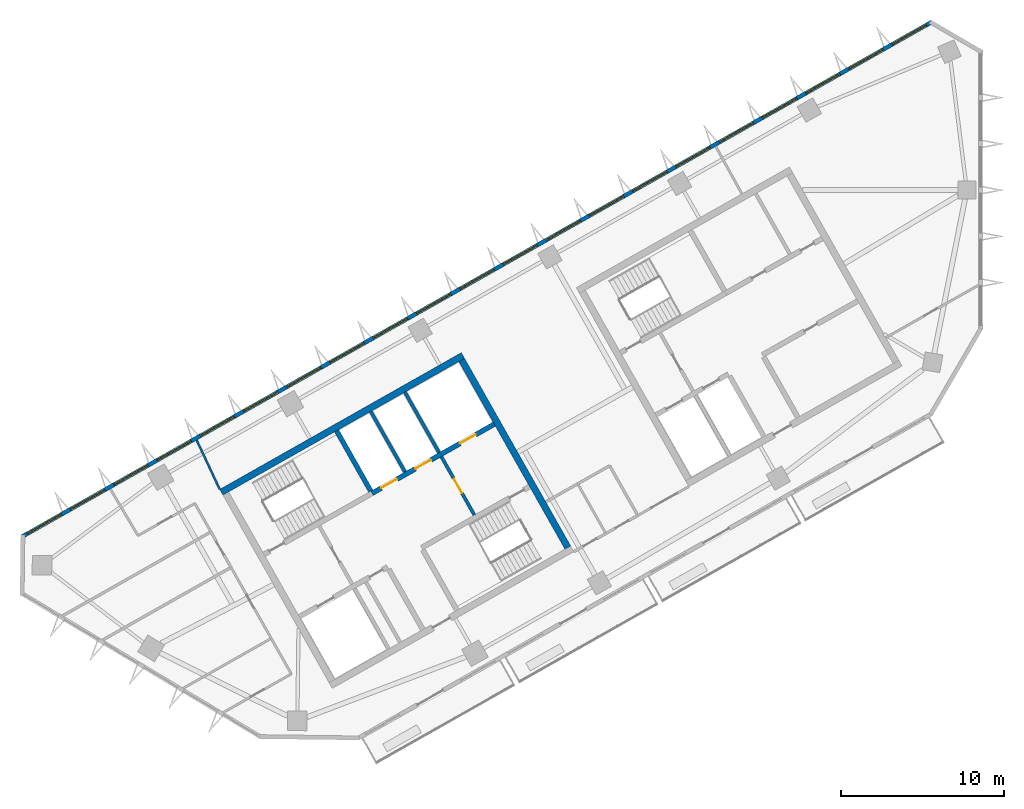
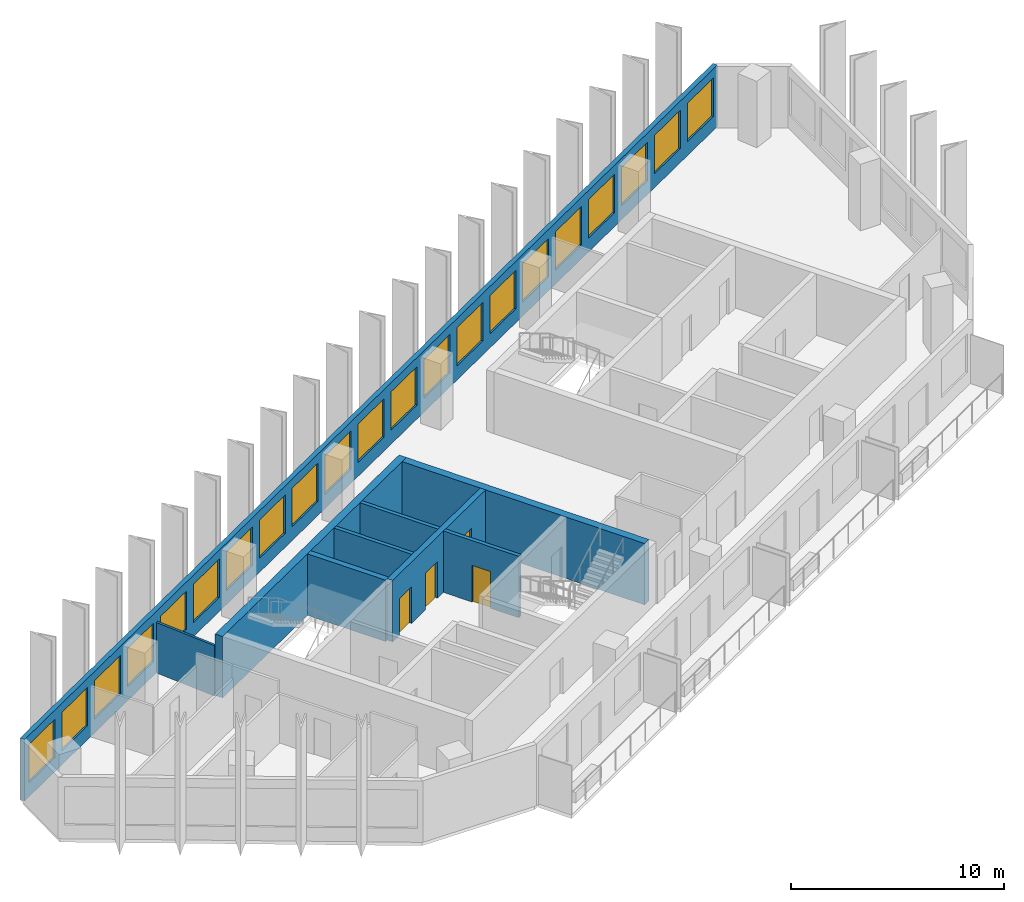
# One storey, part 3 of 8: 21 windows, 9 walls, 4 doors, 25 openings.
"""IFC4 building model written with IfcOpenShell, lengths in metres."""

from ifc_helpers import new_model, si_unit, direction, frame, frame_2d, origin, place, context, subcontext, project, spatial, rectangle, extrude, material, layer, layer_set, type_object, element, fill, save


model = new_model("IFC4")

# Units and contexts
model_context = context("Model", 3, precision=1e-05, world=origin(), true_north=direction((0.0, 1.0)))
body_context = subcontext(model_context, "Body", "Model", "MODEL_VIEW")
ifc_project = project(units=[si_unit("LENGTHUNIT", "METRE"), si_unit("AREAUNIT", "SQUARE_METRE"), si_unit("VOLUMEUNIT", "CUBIC_METRE"), si_unit("PLANEANGLEUNIT", "RADIAN"), si_unit("MASSUNIT", "GRAM", prefix="KILO")], contexts=[model_context])

# Site, building, storey
site_placement = place(None, origin())
site = spatial("IfcSite", under=ifc_project, at=site_placement, CompositionType="ELEMENT")
building_placement = place(site_placement, origin())
building = spatial("IfcBuilding", under=site, at=building_placement, Name="Binnacle Exchange Tower", CompositionType="ELEMENT")
storey_placement = place(building_placement, frame((0.0, 0.0, 300.699951171875)))
storey = spatial("IfcBuildingStorey", under=building, at=storey_placement, Name="L67", CompositionType="ELEMENT", Elevation=300.699951171875)

# Wall, openings, doors
ifc_material_1 = material(Name="Concrete C70/85", Category="concrete")
ifc_layer_1 = layer(ifc_material_1, 0.300048828125)
ifc_layer_set_1 = layer_set([ifc_layer_1], Name="Core wall - front 300")
wall_type_1 = type_object("IfcWallType", Name="Core wall - front 300", PredefinedType="SOLIDWALL", material=ifc_layer_set_1)
wall_1_placement = place(storey_placement, frame((-37.281982421875, 41.4345703125, 0.0), z_axis=(0.0, 0.0, 1.0), x_axis=(0.870361315115, 0.492413628113, 0.0)))
wall_1 = element("IfcWall", 1, at=wall_1_placement, inside=storey, type_object=wall_type_1, Name="Core wall CRWA5", PredefinedType="SOLIDWALL", context=body_context, shape_type="SweptSolid", body=[
    extrude(rectangle(XDim=8.599609375, YDim=0.300048828125, at=frame_2d((4.2998046875, 0.0))), origin(), (0.0, 0.0, 1.0), 3.52001953125),
])
opening_1_placement = place(wall_1_placement, frame((0.650146484375, 0.0, 0.0)))
opening_1 = element("IfcOpeningElement", 2, at=opening_1_placement, cuts=wall_1, Name="Opening LD9", PredefinedType="OPENING", context=body_context, shape_type="SweptSolid", body=[
    extrude(rectangle(XDim=1.10009765625, YDim=2.10009765625, at=frame_2d((0.550048828125, 1.050048828125))), frame((0.0, 0.159912109375, 0.0), z_axis=(0.0, -1.0, 0.0), x_axis=(1.0, 0.0, 0.0)), (0.0, 0.0, 1.0), 0.320068359375),
])
opening_2_placement = place(wall_1_placement, frame((3.050048828125, 0.0, 0.0)))
opening_2 = element("IfcOpeningElement", 3, at=opening_2_placement, cuts=wall_1, Name="Opening LD10", PredefinedType="OPENING", context=body_context, shape_type="SweptSolid", body=[
    extrude(rectangle(XDim=1.10009765625, YDim=2.10009765625, at=frame_2d((0.550048828125, 1.050048828125))), frame((0.0, 0.159912109375, 0.0), z_axis=(0.0, -1.0, 0.0), x_axis=(1.0, 0.0, 0.0)), (0.0, 0.0, 1.0), 0.320068359375),
])
opening_3_placement = place(wall_1_placement, frame((6.199951171875, 0.0, 0.0)))
opening_3 = element("IfcOpeningElement", 4, at=opening_3_placement, cuts=wall_1, Name="Opening LD13", PredefinedType="OPENING", context=body_context, shape_type="SweptSolid", body=[
    extrude(rectangle(XDim=1.10009765625, YDim=2.10009765625, at=frame_2d((0.550048828125, 1.050048828125))), frame((0.0, 0.159912109375, 0.0), z_axis=(0.0, -1.0, 0.0), x_axis=(1.0, 0.0, 0.0)), (0.0, 0.0, 1.0), 0.320068359375),
])
ifc_material_2 = material(Name="Steel door leaf", Category="steel")
door_type_1 = type_object("IfcDoorType", Name="Fire door - lift landing 1100", OperationType="NOTDEFINED", PredefinedType="DOOR", material=ifc_material_2)
door_1_placement = place(opening_1_placement, origin())
door_1 = element("IfcDoor", 5, at=door_1_placement, inside=storey, type_object=door_type_1, Name="Landing door LD9 L67", OperationType="DOUBLE_DOOR_SLIDING", OverallHeight=2.10009765625, OverallWidth=1.10009765625, PredefinedType="DOOR", context=body_context, shape_type="SweptSolid", body=[
    extrude(rectangle(XDim=1.10009765625, YDim=2.10009765625, at=frame_2d((0.550048828125, 1.050048828125))), frame((0.0, 0.02490234375, 0.0), z_axis=(0.0, -1.0, 0.0), x_axis=(1.0, 0.0, 0.0)), (0.0, 0.0, 1.0), 0.050048828125),
])
fill(opening_1, door_1)
door_2_placement = place(opening_2_placement, origin())
door_2 = element("IfcDoor", 6, at=door_2_placement, inside=storey, type_object=door_type_1, Name="Landing door LD10 L67", OperationType="DOUBLE_DOOR_SLIDING", OverallHeight=2.10009765625, OverallWidth=1.10009765625, PredefinedType="DOOR", context=body_context, shape_type="SweptSolid", body=[
    extrude(rectangle(XDim=1.10009765625, YDim=2.10009765625, at=frame_2d((0.550048828125, 1.050048828125))), frame((0.0, 0.02490234375, 0.0), z_axis=(0.0, -1.0, 0.0), x_axis=(1.0, 0.0, 0.0)), (0.0, 0.0, 1.0), 0.050048828125),
])
fill(opening_2, door_2)
door_3_placement = place(opening_3_placement, origin())
door_3 = element("IfcDoor", 7, at=door_3_placement, inside=storey, type_object=door_type_1, Name="Landing door LD13 L67", OperationType="DOUBLE_DOOR_SLIDING", OverallHeight=2.10009765625, OverallWidth=1.10009765625, PredefinedType="DOOR", context=body_context, shape_type="SweptSolid", body=[
    extrude(rectangle(XDim=1.10009765625, YDim=2.10009765625, at=frame_2d((0.550048828125, 1.050048828125))), frame((0.0, 0.02490234375, 0.0), z_axis=(0.0, -1.0, 0.0), x_axis=(1.0, 0.0, 0.0)), (0.0, 0.0, 1.0), 0.050048828125),
])
fill(opening_3, door_3)

# Walls
ifc_layer_2 = layer(ifc_material_1, 0.39990234375)
ifc_layer_set_2 = layer_set([ifc_layer_2], Name="Core wall - outer 400")
wall_type_2 = type_object("IfcWallType", Name="Core wall - outer 400", PredefinedType="SOLIDWALL", material=ifc_layer_set_2)
wall_2_placement = place(storey_placement, frame((-46.510009765625, 41.498779296875, 0.0), z_axis=(0.0, 0.0, 1.0), x_axis=(0.870356271124, 0.492422543467, 0.0)))
element("IfcWall", 8, at=wall_2_placement, inside=storey, type_object=wall_type_2, Name="Core wall CRWA6", PredefinedType="SOLIDWALL", context=body_context, shape_type="SweptSolid", body=[
    extrude(rectangle(XDim=16.999755859375, YDim=0.39990234375, at=frame_2d((8.5, 0.0))), origin(), (0.0, 0.0, 1.0), 3.52001953125),
])
wall_3_placement = place(storey_placement, frame((-31.78955078125, 49.597412109375, 0.0), z_axis=(0.0, 0.0, 1.0), x_axis=(0.492421663121, -0.870356769198, 0.0)))
element("IfcWall", 9, at=wall_3_placement, inside=storey, type_object=wall_type_2, Name="Core wall CRWA22", PredefinedType="SOLIDWALL", context=body_context, shape_type="SweptSolid", body=[
    extrude(rectangle(XDim=13.199951171875, YDim=0.39990234375, at=frame_2d((6.60009765625, 0.0))), origin(), (0.0, 0.0, 1.0), 3.52001953125),
])
ifc_layer_3 = layer(ifc_material_1, 0.300048828125)
ifc_layer_set_3 = layer_set([ifc_layer_3], Name="Core wall - stair 300")
wall_type_3 = type_object("IfcWallType", Name="Core wall - stair 300", PredefinedType="SOLIDWALL", material=ifc_layer_set_3)
wall_4_placement = place(storey_placement, frame((-39.44873046875, 45.263916015625, 0.0), z_axis=(0.0, 0.0, 1.0), x_axis=(0.492422543467, -0.870356271124, 0.0)))
element("IfcWall", 10, at=wall_4_placement, inside=storey, type_object=wall_type_3, Name="Core wall CRWA14", PredefinedType="SOLIDWALL", context=body_context, shape_type="SweptSolid", body=[
    extrude(rectangle(XDim=4.25, YDim=0.300048828125, at=frame_2d((2.125, 0.0))), origin(), (0.0, 0.0, 1.0), 3.52001953125),
])

# Wall, openings, windows
ifc_material_3 = material(Name="Bronze aluminium cladding", Category="aluminium")
ifc_layer_4 = layer(ifc_material_3, 0.25)
ifc_layer_set_4 = layer_set([ifc_layer_4], Name="External wall - window wall 250")
wall_type_4 = type_object("IfcWallType", Name="External wall - window wall 250", PredefinedType="STANDARD", material=ifc_layer_set_4)
wall_5_placement = place(storey_placement, frame((-58.732177734375, 38.770751953125, 0.0), z_axis=(0.0, 0.0, 1.0), x_axis=(0.870355615581, 0.492423702137, 0.0)))
wall_5 = element("IfcWall", 11, at=wall_5_placement, inside=storey, type_object=wall_type_4, Name="External wall EW-H03 L67", PredefinedType="STANDARD", context=body_context, shape_type="SweptSolid", body=[
    extrude(rectangle(XDim=64.052490234375, YDim=0.25, at=frame_2d((32.0263671875, 0.0))), origin(), (0.0, 0.0, 1.0), 3.52001953125),
])
opening_4_placement = place(wall_5_placement, frame((61.25927734375, 0.0, 0.800048828125)))
opening_4 = element("IfcOpeningElement", 12, at=opening_4_placement, cuts=wall_5, Name="Opening WR2", PredefinedType="OPENING", context=body_context, shape_type="SweptSolid", body=[
    extrude(rectangle(XDim=2.39990234375, YDim=2.199951171875, at=frame_2d((1.199951171875, 1.10009765625))), frame((0.0, 0.135009765625, 0.0), z_axis=(0.0, -1.0, 0.0), x_axis=(1.0, 0.0, 0.0)), (0.0, 0.0, 1.0), 0.27001953125),
])
opening_5_placement = place(wall_5_placement, frame((58.2158203125, 0.0, 0.800048828125)))
opening_5 = element("IfcOpeningElement", 13, at=opening_5_placement, cuts=wall_5, Name="Opening WR2", PredefinedType="OPENING", context=body_context, shape_type="SweptSolid", body=[
    extrude(rectangle(XDim=2.39990234375, YDim=2.199951171875, at=frame_2d((1.199951171875, 1.10009765625))), frame((0.0, 0.135009765625, 0.0), z_axis=(0.0, -1.0, 0.0), x_axis=(1.0, 0.0, 0.0)), (0.0, 0.0, 1.0), 0.27001953125),
])
opening_6_placement = place(wall_5_placement, frame((55.172607421875, 0.0, 0.800048828125)))
opening_6 = element("IfcOpeningElement", 14, at=opening_6_placement, cuts=wall_5, Name="Opening WR2", PredefinedType="OPENING", context=body_context, shape_type="SweptSolid", body=[
    extrude(rectangle(XDim=2.39990234375, YDim=2.199951171875, at=frame_2d((1.199951171875, 1.10009765625))), frame((0.0, 0.135009765625, 0.0), z_axis=(0.0, -1.0, 0.0), x_axis=(1.0, 0.0, 0.0)), (0.0, 0.0, 1.0), 0.27001953125),
])
opening_7_placement = place(wall_5_placement, frame((52.12939453125, 0.0, 0.800048828125)))
opening_7 = element("IfcOpeningElement", 15, at=opening_7_placement, cuts=wall_5, Name="Opening WR2", PredefinedType="OPENING", context=body_context, shape_type="SweptSolid", body=[
    extrude(rectangle(XDim=2.39990234375, YDim=2.199951171875, at=frame_2d((1.199951171875, 1.10009765625))), frame((0.0, 0.135009765625, 0.0), z_axis=(0.0, -1.0, 0.0), x_axis=(1.0, 0.0, 0.0)), (0.0, 0.0, 1.0), 0.27001953125),
])
opening_8_placement = place(wall_5_placement, frame((49.0859375, 0.0, 0.800048828125)))
opening_8 = element("IfcOpeningElement", 16, at=opening_8_placement, cuts=wall_5, Name="Opening WR2", PredefinedType="OPENING", context=body_context, shape_type="SweptSolid", body=[
    extrude(rectangle(XDim=2.39990234375, YDim=2.199951171875, at=frame_2d((1.199951171875, 1.10009765625))), frame((0.0, 0.135009765625, 0.0), z_axis=(0.0, -1.0, 0.0), x_axis=(1.0, 0.0, 0.0)), (0.0, 0.0, 1.0), 0.27001953125),
])
opening_9_placement = place(wall_5_placement, frame((46.042724609375, 0.0, 0.800048828125)))
opening_9 = element("IfcOpeningElement", 17, at=opening_9_placement, cuts=wall_5, Name="Opening WR2", PredefinedType="OPENING", context=body_context, shape_type="SweptSolid", body=[
    extrude(rectangle(XDim=2.39990234375, YDim=2.199951171875, at=frame_2d((1.199951171875, 1.10009765625))), frame((0.0, 0.135009765625, 0.0), z_axis=(0.0, -1.0, 0.0), x_axis=(1.0, 0.0, 0.0)), (0.0, 0.0, 1.0), 0.27001953125),
])
opening_10_placement = place(wall_5_placement, frame((42.99951171875, 0.0, 0.800048828125)))
opening_10 = element("IfcOpeningElement", 18, at=opening_10_placement, cuts=wall_5, Name="Opening WR2", PredefinedType="OPENING", context=body_context, shape_type="SweptSolid", body=[
    extrude(rectangle(XDim=2.39990234375, YDim=2.199951171875, at=frame_2d((1.199951171875, 1.10009765625))), frame((0.0, 0.135009765625, 0.0), z_axis=(0.0, -1.0, 0.0), x_axis=(1.0, 0.0, 0.0)), (0.0, 0.0, 1.0), 0.27001953125),
])
opening_11_placement = place(wall_5_placement, frame((39.956298828125, 0.0, 0.800048828125)))
opening_11 = element("IfcOpeningElement", 19, at=opening_11_placement, cuts=wall_5, Name="Opening WR2", PredefinedType="OPENING", context=body_context, shape_type="SweptSolid", body=[
    extrude(rectangle(XDim=2.39990234375, YDim=2.199951171875, at=frame_2d((1.199951171875, 1.10009765625))), frame((0.0, 0.135009765625, 0.0), z_axis=(0.0, -1.0, 0.0), x_axis=(1.0, 0.0, 0.0)), (0.0, 0.0, 1.0), 0.27001953125),
])
opening_12_placement = place(wall_5_placement, frame((36.912841796875, 0.0, 0.800048828125)))
opening_12 = element("IfcOpeningElement", 20, at=opening_12_placement, cuts=wall_5, Name="Opening WR2", PredefinedType="OPENING", context=body_context, shape_type="SweptSolid", body=[
    extrude(rectangle(XDim=2.39990234375, YDim=2.199951171875, at=frame_2d((1.199951171875, 1.10009765625))), frame((0.0, 0.135009765625, 0.0), z_axis=(0.0, -1.0, 0.0), x_axis=(1.0, 0.0, 0.0)), (0.0, 0.0, 1.0), 0.27001953125),
])
opening_13_placement = place(wall_5_placement, frame((33.86962890625, 0.0, 0.800048828125)))
opening_13 = element("IfcOpeningElement", 21, at=opening_13_placement, cuts=wall_5, Name="Opening WR2", PredefinedType="OPENING", context=body_context, shape_type="SweptSolid", body=[
    extrude(rectangle(XDim=2.39990234375, YDim=2.199951171875, at=frame_2d((1.199951171875, 1.10009765625))), frame((0.0, 0.135009765625, 0.0), z_axis=(0.0, -1.0, 0.0), x_axis=(1.0, 0.0, 0.0)), (0.0, 0.0, 1.0), 0.27001953125),
])
opening_14_placement = place(wall_5_placement, frame((30.826416015625, 0.0, 0.800048828125)))
opening_14 = element("IfcOpeningElement", 22, at=opening_14_placement, cuts=wall_5, Name="Opening WR2", PredefinedType="OPENING", context=body_context, shape_type="SweptSolid", body=[
    extrude(rectangle(XDim=2.39990234375, YDim=2.199951171875, at=frame_2d((1.199951171875, 1.10009765625))), frame((0.0, 0.135009765625, 0.0), z_axis=(0.0, -1.0, 0.0), x_axis=(1.0, 0.0, 0.0)), (0.0, 0.0, 1.0), 0.27001953125),
])
opening_15_placement = place(wall_5_placement, frame((27.782958984375, 0.0, 0.800048828125)))
opening_15 = element("IfcOpeningElement", 23, at=opening_15_placement, cuts=wall_5, Name="Opening WR2", PredefinedType="OPENING", context=body_context, shape_type="SweptSolid", body=[
    extrude(rectangle(XDim=2.39990234375, YDim=2.199951171875, at=frame_2d((1.199951171875, 1.10009765625))), frame((0.0, 0.135009765625, 0.0), z_axis=(0.0, -1.0, 0.0), x_axis=(1.0, 0.0, 0.0)), (0.0, 0.0, 1.0), 0.27001953125),
])
opening_16_placement = place(wall_5_placement, frame((24.73974609375, 0.0, 0.800048828125)))
opening_16 = element("IfcOpeningElement", 24, at=opening_16_placement, cuts=wall_5, Name="Opening WR2", PredefinedType="OPENING", context=body_context, shape_type="SweptSolid", body=[
    extrude(rectangle(XDim=2.39990234375, YDim=2.199951171875, at=frame_2d((1.199951171875, 1.10009765625))), frame((0.0, 0.135009765625, 0.0), z_axis=(0.0, -1.0, 0.0), x_axis=(1.0, 0.0, 0.0)), (0.0, 0.0, 1.0), 0.27001953125),
])
opening_17_placement = place(wall_5_placement, frame((21.6962890625, 0.0, 0.800048828125)))
opening_17 = element("IfcOpeningElement", 25, at=opening_17_placement, cuts=wall_5, Name="Opening WR2", PredefinedType="OPENING", context=body_context, shape_type="SweptSolid", body=[
    extrude(rectangle(XDim=2.39990234375, YDim=2.199951171875, at=frame_2d((1.199951171875, 1.10009765625))), frame((0.0, 0.135009765625, 0.0), z_axis=(0.0, -1.0, 0.0), x_axis=(1.0, 0.0, 0.0)), (0.0, 0.0, 1.0), 0.27001953125),
])
opening_18_placement = place(wall_5_placement, frame((18.6533203125, 0.0, 0.800048828125)))
opening_18 = element("IfcOpeningElement", 26, at=opening_18_placement, cuts=wall_5, Name="Opening WR2", PredefinedType="OPENING", context=body_context, shape_type="SweptSolid", body=[
    extrude(rectangle(XDim=2.39990234375, YDim=2.199951171875, at=frame_2d((1.199951171875, 1.10009765625))), frame((0.0, 0.135009765625, 0.0), z_axis=(0.0, -1.0, 0.0), x_axis=(1.0, 0.0, 0.0)), (0.0, 0.0, 1.0), 0.27001953125),
])
opening_19_placement = place(wall_5_placement, frame((15.60986328125, 0.0, 0.800048828125)))
opening_19 = element("IfcOpeningElement", 27, at=opening_19_placement, cuts=wall_5, Name="Opening WR2", PredefinedType="OPENING", context=body_context, shape_type="SweptSolid", body=[
    extrude(rectangle(XDim=2.39990234375, YDim=2.199951171875, at=frame_2d((1.199951171875, 1.10009765625))), frame((0.0, 0.135009765625, 0.0), z_axis=(0.0, -1.0, 0.0), x_axis=(1.0, 0.0, 0.0)), (0.0, 0.0, 1.0), 0.27001953125),
])
opening_20_placement = place(wall_5_placement, frame((12.566650390625, 0.0, 0.800048828125)))
opening_20 = element("IfcOpeningElement", 28, at=opening_20_placement, cuts=wall_5, Name="Opening WR2", PredefinedType="OPENING", context=body_context, shape_type="SweptSolid", body=[
    extrude(rectangle(XDim=2.39990234375, YDim=2.199951171875, at=frame_2d((1.199951171875, 1.10009765625))), frame((0.0, 0.135009765625, 0.0), z_axis=(0.0, -1.0, 0.0), x_axis=(1.0, 0.0, 0.0)), (0.0, 0.0, 1.0), 0.27001953125),
])
opening_21_placement = place(wall_5_placement, frame((9.523193359375, 0.0, 0.800048828125)))
opening_21 = element("IfcOpeningElement", 29, at=opening_21_placement, cuts=wall_5, Name="Opening WR2", PredefinedType="OPENING", context=body_context, shape_type="SweptSolid", body=[
    extrude(rectangle(XDim=2.39990234375, YDim=2.199951171875, at=frame_2d((1.199951171875, 1.10009765625))), frame((0.0, 0.135009765625, 0.0), z_axis=(0.0, -1.0, 0.0), x_axis=(1.0, 0.0, 0.0)), (0.0, 0.0, 1.0), 0.27001953125),
])
opening_22_placement = place(wall_5_placement, frame((6.47998046875, 0.0, 0.800048828125)))
opening_22 = element("IfcOpeningElement", 30, at=opening_22_placement, cuts=wall_5, Name="Opening WR2", PredefinedType="OPENING", context=body_context, shape_type="SweptSolid", body=[
    extrude(rectangle(XDim=2.39990234375, YDim=2.199951171875, at=frame_2d((1.199951171875, 1.10009765625))), frame((0.0, 0.135009765625, 0.0), z_axis=(0.0, -1.0, 0.0), x_axis=(1.0, 0.0, 0.0)), (0.0, 0.0, 1.0), 0.27001953125),
])
opening_23_placement = place(wall_5_placement, frame((3.436767578125, 0.0, 0.800048828125)))
opening_23 = element("IfcOpeningElement", 31, at=opening_23_placement, cuts=wall_5, Name="Opening WR2", PredefinedType="OPENING", context=body_context, shape_type="SweptSolid", body=[
    extrude(rectangle(XDim=2.39990234375, YDim=2.199951171875, at=frame_2d((1.199951171875, 1.10009765625))), frame((0.0, 0.135009765625, 0.0), z_axis=(0.0, -1.0, 0.0), x_axis=(1.0, 0.0, 0.0)), (0.0, 0.0, 1.0), 0.27001953125),
])
opening_24_placement = place(wall_5_placement, frame((0.393310546875, 0.0, 0.800048828125)))
opening_24 = element("IfcOpeningElement", 32, at=opening_24_placement, cuts=wall_5, Name="Opening WR2", PredefinedType="OPENING", context=body_context, shape_type="SweptSolid", body=[
    extrude(rectangle(XDim=2.39990234375, YDim=2.199951171875, at=frame_2d((1.199951171875, 1.10009765625))), frame((0.0, 0.135009765625, 0.0), z_axis=(0.0, -1.0, 0.0), x_axis=(1.0, 0.0, 0.0)), (0.0, 0.0, 1.0), 0.27001953125),
])
ifc_material_4 = material(Name="Bronze anodised aluminium frame", Category="aluminium")
window_type = type_object("IfcWindowType", Name="WR2 WINDOW 2400x2200", PartitioningType="SINGLE_PANEL", PredefinedType="WINDOW", material=ifc_material_4)
window_1_placement = place(opening_4_placement, origin())
window_1 = element("IfcWindow", 33, at=window_1_placement, inside=storey, type_object=window_type, Name="Window WR2 L67", OverallHeight=2.199951171875, OverallWidth=2.39990234375, PartitioningType="SINGLE_PANEL", PredefinedType="WINDOW", context=body_context, shape_type="SweptSolid", body=[
    extrude(rectangle(XDim=2.39990234375, YDim=2.199951171875, at=frame_2d((1.199951171875, 1.10009765625))), frame((0.0, 0.030029296875, 0.0), z_axis=(0.0, -1.0, 0.0), x_axis=(1.0, 0.0, 0.0)), (0.0, 0.0, 1.0), 0.06005859375),
])
fill(opening_4, window_1)
window_2_placement = place(opening_5_placement, origin())
window_2 = element("IfcWindow", 34, at=window_2_placement, inside=storey, type_object=window_type, Name="Window WR2 L67", OverallHeight=2.199951171875, OverallWidth=2.39990234375, PartitioningType="SINGLE_PANEL", PredefinedType="WINDOW", context=body_context, shape_type="SweptSolid", body=[
    extrude(rectangle(XDim=2.39990234375, YDim=2.199951171875, at=frame_2d((1.199951171875, 1.10009765625))), frame((0.0, 0.030029296875, 0.0), z_axis=(0.0, -1.0, 0.0), x_axis=(1.0, 0.0, 0.0)), (0.0, 0.0, 1.0), 0.06005859375),
])
fill(opening_5, window_2)
window_3_placement = place(opening_6_placement, origin())
window_3 = element("IfcWindow", 35, at=window_3_placement, inside=storey, type_object=window_type, Name="Window WR2 L67", OverallHeight=2.199951171875, OverallWidth=2.39990234375, PartitioningType="SINGLE_PANEL", PredefinedType="WINDOW", context=body_context, shape_type="SweptSolid", body=[
    extrude(rectangle(XDim=2.39990234375, YDim=2.199951171875, at=frame_2d((1.199951171875, 1.10009765625))), frame((0.0, 0.030029296875, 0.0), z_axis=(0.0, -1.0, 0.0), x_axis=(1.0, 0.0, 0.0)), (0.0, 0.0, 1.0), 0.06005859375),
])
fill(opening_6, window_3)
window_4_placement = place(opening_7_placement, origin())
window_4 = element("IfcWindow", 36, at=window_4_placement, inside=storey, type_object=window_type, Name="Window WR2 L67", OverallHeight=2.199951171875, OverallWidth=2.39990234375, PartitioningType="SINGLE_PANEL", PredefinedType="WINDOW", context=body_context, shape_type="SweptSolid", body=[
    extrude(rectangle(XDim=2.39990234375, YDim=2.199951171875, at=frame_2d((1.199951171875, 1.10009765625))), frame((0.0, 0.030029296875, 0.0), z_axis=(0.0, -1.0, 0.0), x_axis=(1.0, 0.0, 0.0)), (0.0, 0.0, 1.0), 0.06005859375),
])
fill(opening_7, window_4)
window_5_placement = place(opening_8_placement, origin())
window_5 = element("IfcWindow", 37, at=window_5_placement, inside=storey, type_object=window_type, Name="Window WR2 L67", OverallHeight=2.199951171875, OverallWidth=2.39990234375, PartitioningType="SINGLE_PANEL", PredefinedType="WINDOW", context=body_context, shape_type="SweptSolid", body=[
    extrude(rectangle(XDim=2.39990234375, YDim=2.199951171875, at=frame_2d((1.199951171875, 1.10009765625))), frame((0.0, 0.030029296875, 0.0), z_axis=(0.0, -1.0, 0.0), x_axis=(1.0, 0.0, 0.0)), (0.0, 0.0, 1.0), 0.06005859375),
])
fill(opening_8, window_5)
window_6_placement = place(opening_9_placement, origin())
window_6 = element("IfcWindow", 38, at=window_6_placement, inside=storey, type_object=window_type, Name="Window WR2 L67", OverallHeight=2.199951171875, OverallWidth=2.39990234375, PartitioningType="SINGLE_PANEL", PredefinedType="WINDOW", context=body_context, shape_type="SweptSolid", body=[
    extrude(rectangle(XDim=2.39990234375, YDim=2.199951171875, at=frame_2d((1.199951171875, 1.10009765625))), frame((0.0, 0.030029296875, 0.0), z_axis=(0.0, -1.0, 0.0), x_axis=(1.0, 0.0, 0.0)), (0.0, 0.0, 1.0), 0.06005859375),
])
fill(opening_9, window_6)
window_7_placement = place(opening_10_placement, origin())
window_7 = element("IfcWindow", 39, at=window_7_placement, inside=storey, type_object=window_type, Name="Window WR2 L67", OverallHeight=2.199951171875, OverallWidth=2.39990234375, PartitioningType="SINGLE_PANEL", PredefinedType="WINDOW", context=body_context, shape_type="SweptSolid", body=[
    extrude(rectangle(XDim=2.39990234375, YDim=2.199951171875, at=frame_2d((1.199951171875, 1.10009765625))), frame((0.0, 0.030029296875, 0.0), z_axis=(0.0, -1.0, 0.0), x_axis=(1.0, 0.0, 0.0)), (0.0, 0.0, 1.0), 0.06005859375),
])
fill(opening_10, window_7)
window_8_placement = place(opening_11_placement, origin())
window_8 = element("IfcWindow", 40, at=window_8_placement, inside=storey, type_object=window_type, Name="Window WR2 L67", OverallHeight=2.199951171875, OverallWidth=2.39990234375, PartitioningType="SINGLE_PANEL", PredefinedType="WINDOW", context=body_context, shape_type="SweptSolid", body=[
    extrude(rectangle(XDim=2.39990234375, YDim=2.199951171875, at=frame_2d((1.199951171875, 1.10009765625))), frame((0.0, 0.030029296875, 0.0), z_axis=(0.0, -1.0, 0.0), x_axis=(1.0, 0.0, 0.0)), (0.0, 0.0, 1.0), 0.06005859375),
])
fill(opening_11, window_8)
window_9_placement = place(opening_12_placement, origin())
window_9 = element("IfcWindow", 41, at=window_9_placement, inside=storey, type_object=window_type, Name="Window WR2 L67", OverallHeight=2.199951171875, OverallWidth=2.39990234375, PartitioningType="SINGLE_PANEL", PredefinedType="WINDOW", context=body_context, shape_type="SweptSolid", body=[
    extrude(rectangle(XDim=2.39990234375, YDim=2.199951171875, at=frame_2d((1.199951171875, 1.10009765625))), frame((0.0, 0.030029296875, 0.0), z_axis=(0.0, -1.0, 0.0), x_axis=(1.0, 0.0, 0.0)), (0.0, 0.0, 1.0), 0.06005859375),
])
fill(opening_12, window_9)
window_10_placement = place(opening_13_placement, origin())
window_10 = element("IfcWindow", 42, at=window_10_placement, inside=storey, type_object=window_type, Name="Window WR2 L67", OverallHeight=2.199951171875, OverallWidth=2.39990234375, PartitioningType="SINGLE_PANEL", PredefinedType="WINDOW", context=body_context, shape_type="SweptSolid", body=[
    extrude(rectangle(XDim=2.39990234375, YDim=2.199951171875, at=frame_2d((1.199951171875, 1.10009765625))), frame((0.0, 0.030029296875, 0.0), z_axis=(0.0, -1.0, 0.0), x_axis=(1.0, 0.0, 0.0)), (0.0, 0.0, 1.0), 0.06005859375),
])
fill(opening_13, window_10)
window_11_placement = place(opening_14_placement, origin())
window_11 = element("IfcWindow", 43, at=window_11_placement, inside=storey, type_object=window_type, Name="Window WR2 L67", OverallHeight=2.199951171875, OverallWidth=2.39990234375, PartitioningType="SINGLE_PANEL", PredefinedType="WINDOW", context=body_context, shape_type="SweptSolid", body=[
    extrude(rectangle(XDim=2.39990234375, YDim=2.199951171875, at=frame_2d((1.199951171875, 1.10009765625))), frame((0.0, 0.030029296875, 0.0), z_axis=(0.0, -1.0, 0.0), x_axis=(1.0, 0.0, 0.0)), (0.0, 0.0, 1.0), 0.06005859375),
])
fill(opening_14, window_11)
window_12_placement = place(opening_15_placement, origin())
window_12 = element("IfcWindow", 44, at=window_12_placement, inside=storey, type_object=window_type, Name="Window WR2 L67", OverallHeight=2.199951171875, OverallWidth=2.39990234375, PartitioningType="SINGLE_PANEL", PredefinedType="WINDOW", context=body_context, shape_type="SweptSolid", body=[
    extrude(rectangle(XDim=2.39990234375, YDim=2.199951171875, at=frame_2d((1.199951171875, 1.10009765625))), frame((0.0, 0.030029296875, 0.0), z_axis=(0.0, -1.0, 0.0), x_axis=(1.0, 0.0, 0.0)), (0.0, 0.0, 1.0), 0.06005859375),
])
fill(opening_15, window_12)
window_13_placement = place(opening_16_placement, origin())
window_13 = element("IfcWindow", 45, at=window_13_placement, inside=storey, type_object=window_type, Name="Window WR2 L67", OverallHeight=2.199951171875, OverallWidth=2.39990234375, PartitioningType="SINGLE_PANEL", PredefinedType="WINDOW", context=body_context, shape_type="SweptSolid", body=[
    extrude(rectangle(XDim=2.39990234375, YDim=2.199951171875, at=frame_2d((1.199951171875, 1.10009765625))), frame((0.0, 0.030029296875, 0.0), z_axis=(0.0, -1.0, 0.0), x_axis=(1.0, 0.0, 0.0)), (0.0, 0.0, 1.0), 0.06005859375),
])
fill(opening_16, window_13)
window_14_placement = place(opening_17_placement, origin())
window_14 = element("IfcWindow", 46, at=window_14_placement, inside=storey, type_object=window_type, Name="Window WR2 L67", OverallHeight=2.199951171875, OverallWidth=2.39990234375, PartitioningType="SINGLE_PANEL", PredefinedType="WINDOW", context=body_context, shape_type="SweptSolid", body=[
    extrude(rectangle(XDim=2.39990234375, YDim=2.199951171875, at=frame_2d((1.199951171875, 1.10009765625))), frame((0.0, 0.030029296875, 0.0), z_axis=(0.0, -1.0, 0.0), x_axis=(1.0, 0.0, 0.0)), (0.0, 0.0, 1.0), 0.06005859375),
])
fill(opening_17, window_14)
window_15_placement = place(opening_18_placement, origin())
window_15 = element("IfcWindow", 47, at=window_15_placement, inside=storey, type_object=window_type, Name="Window WR2 L67", OverallHeight=2.199951171875, OverallWidth=2.39990234375, PartitioningType="SINGLE_PANEL", PredefinedType="WINDOW", context=body_context, shape_type="SweptSolid", body=[
    extrude(rectangle(XDim=2.39990234375, YDim=2.199951171875, at=frame_2d((1.199951171875, 1.10009765625))), frame((0.0, 0.030029296875, 0.0), z_axis=(0.0, -1.0, 0.0), x_axis=(1.0, 0.0, 0.0)), (0.0, 0.0, 1.0), 0.06005859375),
])
fill(opening_18, window_15)
window_16_placement = place(opening_19_placement, origin())
window_16 = element("IfcWindow", 48, at=window_16_placement, inside=storey, type_object=window_type, Name="Window WR2 L67", OverallHeight=2.199951171875, OverallWidth=2.39990234375, PartitioningType="SINGLE_PANEL", PredefinedType="WINDOW", context=body_context, shape_type="SweptSolid", body=[
    extrude(rectangle(XDim=2.39990234375, YDim=2.199951171875, at=frame_2d((1.199951171875, 1.10009765625))), frame((0.0, 0.030029296875, 0.0), z_axis=(0.0, -1.0, 0.0), x_axis=(1.0, 0.0, 0.0)), (0.0, 0.0, 1.0), 0.06005859375),
])
fill(opening_19, window_16)
window_17_placement = place(opening_20_placement, origin())
window_17 = element("IfcWindow", 49, at=window_17_placement, inside=storey, type_object=window_type, Name="Window WR2 L67", OverallHeight=2.199951171875, OverallWidth=2.39990234375, PartitioningType="SINGLE_PANEL", PredefinedType="WINDOW", context=body_context, shape_type="SweptSolid", body=[
    extrude(rectangle(XDim=2.39990234375, YDim=2.199951171875, at=frame_2d((1.199951171875, 1.10009765625))), frame((0.0, 0.030029296875, 0.0), z_axis=(0.0, -1.0, 0.0), x_axis=(1.0, 0.0, 0.0)), (0.0, 0.0, 1.0), 0.06005859375),
])
fill(opening_20, window_17)
window_18_placement = place(opening_21_placement, origin())
window_18 = element("IfcWindow", 50, at=window_18_placement, inside=storey, type_object=window_type, Name="Window WR2 L67", OverallHeight=2.199951171875, OverallWidth=2.39990234375, PartitioningType="SINGLE_PANEL", PredefinedType="WINDOW", context=body_context, shape_type="SweptSolid", body=[
    extrude(rectangle(XDim=2.39990234375, YDim=2.199951171875, at=frame_2d((1.199951171875, 1.10009765625))), frame((0.0, 0.030029296875, 0.0), z_axis=(0.0, -1.0, 0.0), x_axis=(1.0, 0.0, 0.0)), (0.0, 0.0, 1.0), 0.06005859375),
])
fill(opening_21, window_18)
window_19_placement = place(opening_22_placement, origin())
window_19 = element("IfcWindow", 51, at=window_19_placement, inside=storey, type_object=window_type, Name="Window WR2 L67", OverallHeight=2.199951171875, OverallWidth=2.39990234375, PartitioningType="SINGLE_PANEL", PredefinedType="WINDOW", context=body_context, shape_type="SweptSolid", body=[
    extrude(rectangle(XDim=2.39990234375, YDim=2.199951171875, at=frame_2d((1.199951171875, 1.10009765625))), frame((0.0, 0.030029296875, 0.0), z_axis=(0.0, -1.0, 0.0), x_axis=(1.0, 0.0, 0.0)), (0.0, 0.0, 1.0), 0.06005859375),
])
fill(opening_22, window_19)
window_20_placement = place(opening_23_placement, origin())
window_20 = element("IfcWindow", 52, at=window_20_placement, inside=storey, type_object=window_type, Name="Window WR2 L67", OverallHeight=2.199951171875, OverallWidth=2.39990234375, PartitioningType="SINGLE_PANEL", PredefinedType="WINDOW", context=body_context, shape_type="SweptSolid", body=[
    extrude(rectangle(XDim=2.39990234375, YDim=2.199951171875, at=frame_2d((1.199951171875, 1.10009765625))), frame((0.0, 0.030029296875, 0.0), z_axis=(0.0, -1.0, 0.0), x_axis=(1.0, 0.0, 0.0)), (0.0, 0.0, 1.0), 0.06005859375),
])
fill(opening_23, window_20)
window_21_placement = place(opening_24_placement, origin())
window_21 = element("IfcWindow", 53, at=window_21_placement, inside=storey, type_object=window_type, Name="Window WR2 L67", OverallHeight=2.199951171875, OverallWidth=2.39990234375, PartitioningType="SINGLE_PANEL", PredefinedType="WINDOW", context=body_context, shape_type="SweptSolid", body=[
    extrude(rectangle(XDim=2.39990234375, YDim=2.199951171875, at=frame_2d((1.199951171875, 1.10009765625))), frame((0.0, 0.030029296875, 0.0), z_axis=(0.0, -1.0, 0.0), x_axis=(1.0, 0.0, 0.0)), (0.0, 0.0, 1.0), 0.06005859375),
])
fill(opening_24, window_21)

# Wall, opening, door
ifc_material_5 = material(Name="Masonry block wall", Category="masonry")
ifc_layer_5 = layer(ifc_material_5, 0.199951171875)
ifc_layer_set_5 = layer_set([ifc_layer_5], Name="Fire wall - vestibule 200")
wall_type_5 = type_object("IfcWallType", Name="Fire wall - vestibule 200", PredefinedType="PARTITIONING", material=ifc_layer_set_5)
wall_6_placement = place(storey_placement, frame((-33.030517578125, 43.66748046875, 0.0), z_axis=(0.0, 0.0, 1.0), x_axis=(0.492408451753, -0.87036424366, 0.0)))
wall_6 = element("IfcWall", 54, at=wall_6_placement, inside=storey, type_object=wall_type_5, Name="Core wall CRWA19", PredefinedType="PARTITIONING", context=body_context, shape_type="SweptSolid", body=[
    extrude(rectangle(XDim=4.099853515625, YDim=0.199951171875, at=frame_2d((2.0498046875, 0.0))), origin(), (0.0, 0.0, 1.0), 3.52001953125),
])
opening_25_placement = place(wall_6_placement, frame((1.550048828125, 0.0, 0.0)))
opening_25 = element("IfcOpeningElement", 55, at=opening_25_placement, cuts=wall_6, Name="Opening DA4", PredefinedType="OPENING", context=body_context, shape_type="SweptSolid", body=[
    extrude(rectangle(XDim=1.0, YDim=2.10009765625, at=frame_2d((0.5, 1.050048828125))), frame((0.0, 0.10986328125, 0.0), z_axis=(0.0, -1.0, 0.0), x_axis=(1.0, 0.0, 0.0)), (0.0, 0.0, 1.0), 0.219970703125),
])
door_type_2 = type_object("IfcDoorType", Name="Fire door 1000", OperationType="NOTDEFINED", PredefinedType="DOOR", material=ifc_material_2)
door_4_placement = place(opening_25_placement, origin())
door_4 = element("IfcDoor", 56, at=door_4_placement, inside=storey, type_object=door_type_2, Name="Vestibule door VEST-E", OperationType="SINGLE_SWING_RIGHT", OverallHeight=2.10009765625, OverallWidth=1.0, PredefinedType="DOOR", context=body_context, shape_type="SweptSolid", body=[
    extrude(rectangle(XDim=1.0, YDim=2.10009765625, at=frame_2d((0.5, 1.050048828125))), frame((0.0, 0.02490234375, 0.0), z_axis=(0.0, -1.0, 0.0), x_axis=(1.0, 0.0, 0.0)), (0.0, 0.0, 1.0), 0.050048828125),
])
fill(opening_25, door_4)

# Walls
ifc_material_6 = material(Name="Gypsum partition")
ifc_layer_6 = layer(ifc_material_6, 0.125)
ifc_layer_set_6 = layer_set([ifc_layer_6], Name="Partition 125")
wall_type_6 = type_object("IfcWallType", Name="Partition 125", PredefinedType="PARTITIONING", material=ifc_layer_set_6)
wall_7_placement = place(storey_placement, frame((-48.02197265625, 44.68701171875, 0.0), z_axis=(0.0, 0.0, 1.0), x_axis=(0.424510917438, -0.905422818895, 0.0)))
element("IfcWall", 57, at=wall_7_placement, inside=storey, type_object=wall_type_6, Name="Partition W07", PredefinedType="PARTITIONING", context=body_context, shape_type="SweptSolid", body=[
    extrude(rectangle(XDim=3.328857421875, YDim=0.125, at=frame_2d((1.66455078125, 0.0))), origin(), (0.0, 0.0, 1.0), 2.887939453125),
])
ifc_layer_7 = layer(ifc_material_5, 0.199951171875)
ifc_layer_set_7 = layer_set([ifc_layer_7], Name="Shaft wall 200")
wall_type_7 = type_object("IfcWallType", Name="Shaft wall 200", PredefinedType="SOLIDWALL", material=ifc_layer_set_7)
for number, where, z_axis, x_axis, name in (
    (58, (-37.35986328125, 46.44580078125, 0.0), (0.0, 0.0, 1.0), (0.492422543467, -0.870356271124, 0.0), "Core wall CRWA17"),
    (59, (-35.27099609375, 47.627685546875, 0.0), (0.0, 0.0, 1.0), (0.492422543467, -0.870356271124, 0.0), "Core wall CRWA21"),
):
    element("IfcWall", number, at=place(storey_placement, frame(where, z_axis=z_axis, x_axis=x_axis)), inside=storey, type_object=wall_type_7, Name=name, PredefinedType="SOLIDWALL", context=body_context, shape_type="SweptSolid", body=[
        extrude(rectangle(XDim=4.25, YDim=0.199951171875, at=frame_2d((2.125, 0.0))), origin(), (0.0, 0.0, 1.0), 3.52001953125),
    ])

save(model, "model.ifc")
